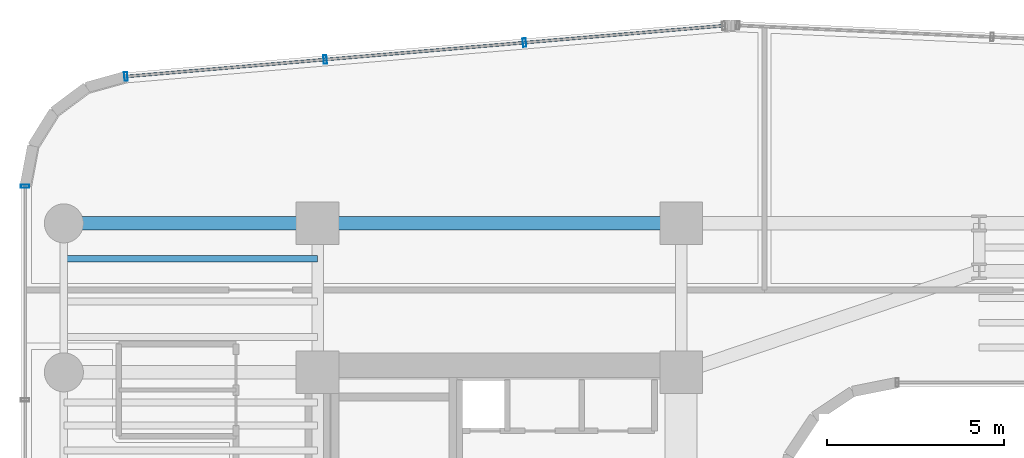
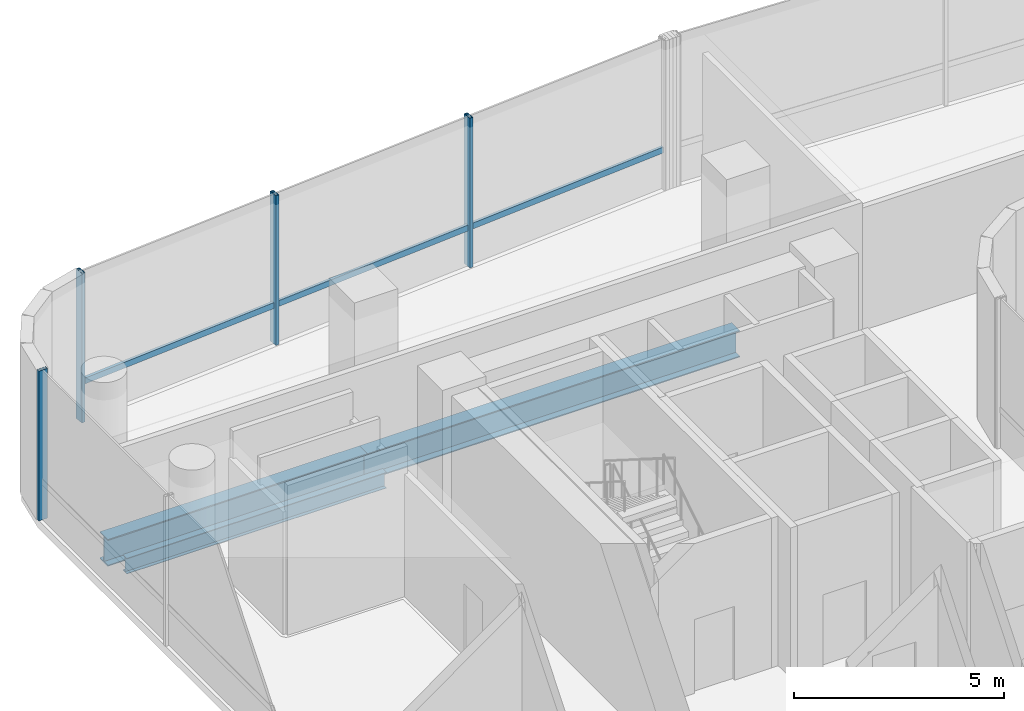
# One storey, part 18 of 32: 5 members, 3 beams, 2 elements without a shape of their own.
"""IFC4 building model written with IfcOpenShell, lengths in metres."""

from ifc_helpers import new_model, si_unit, direction, frame, origin, origin_2d, place, context, subcontext, project, spatial, hollow_rectangle, i_section, extrude, source, transform, mapped, material, material_profile, profile_set, type_object, element, aggregate, save


model = new_model("IFC4")

# Units and contexts
model_context = context("Model", 3, precision=1e-05, world=origin(), true_north=direction((0.0, 1.0)))
body_context = subcontext(model_context, "Body", "Model", "MODEL_VIEW")
ifc_project = project(units=[si_unit("LENGTHUNIT", "METRE"), si_unit("AREAUNIT", "SQUARE_METRE"), si_unit("VOLUMEUNIT", "CUBIC_METRE"), si_unit("PLANEANGLEUNIT", "RADIAN"), si_unit("MASSUNIT", "GRAM", prefix="KILO")], contexts=[model_context])

# Site, building, storey
site_placement = place(None, origin())
site = spatial("IfcSite", under=ifc_project, at=site_placement, CompositionType="ELEMENT")
building_placement = place(site_placement, origin())
building = spatial("IfcBuilding", under=site, at=building_placement, Name="Valdorenza Pilgrim Sanctuary Tower", CompositionType="ELEMENT")
storey_placement = place(building_placement, frame((0.0, 0.0, 101.10009765625)))
storey = spatial("IfcBuildingStorey", under=building, at=storey_placement, Name="L25", CompositionType="ELEMENT", Elevation=101.10009765625)

# Beams
ifc_material_1 = material(Name="Steel ASTM A992 Grade 50", Category="steel")
ifc_material_profile_1 = material_profile(ifc_material_1, i_section(OverallWidth=0.382080078125, OverallDepth=0.779052734375, WebThickness=0.01806640625, FlangeThickness=0.030029296875, at=origin_2d()), Name="W30X191")
ifc_profile_set_1 = profile_set([ifc_material_profile_1], Name="Steel ASTM A992 Grade 50")
beam_type_1 = type_object("IfcBeamType", Name="STR-BM-GRD-W30", PredefinedType="BEAM", material=ifc_profile_set_1)
shared_shape_1 = source(origin(), body_context, "Body", "SweptSolid", [
    extrude(i_section(OverallWidth=0.382080078125, OverallDepth=0.779052734375, WebThickness=0.01806640625, FlangeThickness=0.030029296875, at=origin_2d()), origin(), (0.0, 0.0, 1.0), 7.150146484375),
])
beam_1_placement = place(storey_placement, frame((-29.800048828125, 14.800048828125, -0.629638671875), z_axis=(1.0, 0.0, 0.0), x_axis=(0.0, 1.0, 0.0)))
element("IfcBeam", 1, at=beam_1_placement, inside=storey, type_object=beam_type_1, Name="L25 Floor Girder WA-XW-N2", PredefinedType="BEAM", context=body_context, shape_type="MappedRepresentation", body=[
    mapped(shared_shape_1, transform((0.0, 0.0, 0.0), x_axis=(1.0, 0.0, 0.0), y_axis=(0.0, 1.0, 0.0), z_axis=(0.0, 0.0, 1.0), scale=1.0)),
])
shared_shape_2 = source(origin(), body_context, "Body", "SweptSolid", [
    extrude(i_section(OverallWidth=0.382080078125, OverallDepth=0.779052734375, WebThickness=0.01806640625, FlangeThickness=0.030029296875, at=origin_2d()), origin(), (0.0, 0.0, 1.0), 10.25),
])
beam_2_placement = place(storey_placement, frame((-22.64990234375, 14.800048828125, -0.629638671875), z_axis=(1.0, 0.0, 0.0), x_axis=(0.0, 1.0, 0.0)))
element("IfcBeam", 2, at=beam_2_placement, inside=storey, type_object=beam_type_1, Name="L25 Floor Girder CA-XC-N2", PredefinedType="BEAM", context=body_context, shape_type="MappedRepresentation", body=[
    mapped(shared_shape_2, transform((0.0, 0.0, 0.0), x_axis=(1.0, 0.0, 0.0), y_axis=(0.0, 1.0, 0.0), z_axis=(0.0, 0.0, 1.0), scale=1.0)),
])
ifc_material_profile_2 = material_profile(ifc_material_1, i_section(OverallWidth=0.19091796875, OverallDepth=0.45703125, WebThickness=0.009033203125, FlangeThickness=0.014404296875, at=origin_2d()), Name="W18X50")
ifc_profile_set_2 = profile_set([ifc_material_profile_2], Name="Steel ASTM A992 Grade 50")
beam_type_2 = type_object("IfcBeamType", Name="STR-BM-JST-W18B", PredefinedType="JOIST", material=ifc_profile_set_2)
shared_shape_3 = source(origin(), body_context, "Body", "SweptSolid", [
    extrude(i_section(OverallWidth=0.19091796875, OverallDepth=0.45703125, WebThickness=0.009033203125, FlangeThickness=0.014404296875, at=origin_2d()), origin(), (0.0, 0.0, 1.0), 7.150146484375),
])
beam_3_placement = place(storey_placement, frame((-29.800048828125, 13.800048828125, -0.468505859375), z_axis=(1.0, 0.0, 0.0), x_axis=(0.0, 1.0, 0.0)))
element("IfcBeam", 3, at=beam_3_placement, inside=storey, type_object=beam_type_2, Name="L25 Composite Floor Joist JST-WA-26", PredefinedType="JOIST", context=body_context, shape_type="MappedRepresentation", body=[
    mapped(shared_shape_3, transform((0.0, 0.0, 0.0), x_axis=(1.0, 0.0, 0.0), y_axis=(0.0, 1.0, 0.0), z_axis=(0.0, 0.0, 1.0), scale=1.0)),
])

# Curtain wall, member
ifc_material_2 = material(Name="Curtain-wall IGU glazing", Category="glass")
curtain_wall_type = type_object("IfcCurtainWallType", Name="CW-SYS-04", PredefinedType="NOTDEFINED", material=ifc_material_2)
curtain_wall_1_placement = place(storey_placement, origin())
curtain_wall_1 = element("IfcCurtainWall", 4, at=curtain_wall_1_placement, inside=storey, type_object=curtain_wall_type, Name="L25 Curtain Wall CW-L25-1-1", PredefinedType="NOTDEFINED")
ifc_material_3 = material(Name="Anodised aluminium AW-6060", Category="aluminium")
ifc_material_profile_3 = material_profile(ifc_material_3, hollow_rectangle(XDim=0.090087890625, YDim=0.239990234375, WallThickness=0.0048828125, at=origin_2d()), Name="ALU-M 240x90x5")
ifc_profile_set_3 = profile_set([ifc_material_profile_3], Name="Anodised aluminium AW-6060")
member_type_1 = type_object("IfcMemberType", Name="CW-MUL-04", PredefinedType="MULLION", material=ifc_profile_set_3)
shared_shape_4 = source(origin(), body_context, "Body", "SweptSolid", [
    extrude(hollow_rectangle(XDim=0.090087890625, YDim=0.239990234375, WallThickness=0.0048828125, at=origin_2d()), origin(), (0.0, 0.0, 1.0), 4.35986328125),
])
member_1_placement = place(storey_placement, frame((-30.889892578125, 15.850341796875, 0.0), z_axis=(0.0, 0.0, 1.0), x_axis=(0.0, 1.0, 0.0)))
member_1 = element("IfcMember", 5, at=member_1_placement, type_object=member_type_1, Name="CW-L25-1-1 Mullion 6", PredefinedType="MULLION", context=body_context, shape_type="MappedRepresentation", body=[
    mapped(shared_shape_4, transform((0.0, 0.0, 0.0), x_axis=(1.0, 0.0, 0.0), y_axis=(0.0, 1.0, 0.0), z_axis=(0.0, 0.0, 1.0), scale=1.0)),
])
aggregate(curtain_wall_1, [member_1])

# Curtain wall, members
curtain_wall_2_placement = place(storey_placement, origin())
curtain_wall_2 = element("IfcCurtainWall", 6, at=curtain_wall_2_placement, inside=storey, type_object=curtain_wall_type, Name="L25 Curtain Wall CW-L25-1-6", PredefinedType="NOTDEFINED")
member_2_placement = place(storey_placement, frame((-28.051513671875, 18.940185546875, 0.0), z_axis=(0.0, 0.0, 1.0), x_axis=(0.99640764237, 0.084686541006, 0.0)))
member_2 = element("IfcMember", 7, at=member_2_placement, type_object=member_type_1, Name="CW-L25-1-6 Mullion 1", PredefinedType="MULLION", context=body_context, shape_type="MappedRepresentation", body=[
    mapped(shared_shape_4, transform((0.0, 0.0, 0.0), x_axis=(1.0, 0.0, 0.0), y_axis=(0.0, 1.0, 0.0), z_axis=(0.0, 0.0, 1.0), scale=1.0)),
])
member_3_placement = place(storey_placement, frame((-22.43408203125, 19.417724609375, 0.0), z_axis=(0.0, 0.0, 1.0), x_axis=(0.99640764237, 0.084686541006, 0.0)))
member_3 = element("IfcMember", 8, at=member_3_placement, type_object=member_type_1, Name="CW-L25-1-6 Mullion 2", PredefinedType="MULLION", context=body_context, shape_type="MappedRepresentation", body=[
    mapped(shared_shape_4, transform((0.0, 0.0, 0.0), x_axis=(1.0, 0.0, 0.0), y_axis=(0.0, 1.0, 0.0), z_axis=(0.0, 0.0, 1.0), scale=1.0)),
])
member_4_placement = place(storey_placement, frame((-16.81689453125, 19.895263671875, 0.0), z_axis=(0.0, 0.0, 1.0), x_axis=(0.99640764237, 0.084686541006, 0.0)))
member_4 = element("IfcMember", 9, at=member_4_placement, type_object=member_type_1, Name="CW-L25-1-6 Mullion 3", PredefinedType="MULLION", context=body_context, shape_type="MappedRepresentation", body=[
    mapped(shared_shape_4, transform((0.0, 0.0, 0.0), x_axis=(1.0, 0.0, 0.0), y_axis=(0.0, 1.0, 0.0), z_axis=(0.0, 0.0, 1.0), scale=1.0)),
])
ifc_material_profile_4 = material_profile(ifc_material_3, hollow_rectangle(XDim=0.080078125, YDim=0.169921875, WallThickness=0.00390625, at=origin_2d()), Name="ALU-T 170x80x4")
ifc_profile_set_4 = profile_set([ifc_material_profile_4], Name="Anodised aluminium AW-6060")
member_type_2 = type_object("IfcMemberType", Name="CW-TRN-04", PredefinedType="USERDEFINED", material=ifc_profile_set_4)
shared_shape_5 = source(origin(), body_context, "Body", "SweptSolid", [
    extrude(hollow_rectangle(XDim=0.080078125, YDim=0.169921875, WallThickness=0.00390625, at=origin_2d()), origin(), (0.0, 0.0, 1.0), 16.912841796875),
])
member_5_placement = place(storey_placement, frame((-28.051513671875, 18.940185546875, 1.119873046875), z_axis=(0.996407213932, 0.084691581783, 0.0), x_axis=(-0.084691581783, 0.996407213932, 0.0)))
member_5 = element("IfcMember", 10, at=member_5_placement, type_object=member_type_2, Name="CW-L25-1-6 Transom 1", ObjectType="TRANSOM", PredefinedType="USERDEFINED", context=body_context, shape_type="MappedRepresentation", body=[
    mapped(shared_shape_5, transform((0.0, 0.0, 0.0), x_axis=(1.0, 0.0, 0.0), y_axis=(0.0, 1.0, 0.0), z_axis=(0.0, 0.0, 1.0), scale=1.0)),
])
aggregate(curtain_wall_2, [member_2, member_3, member_4, member_5])

save(model, "model.ifc")
